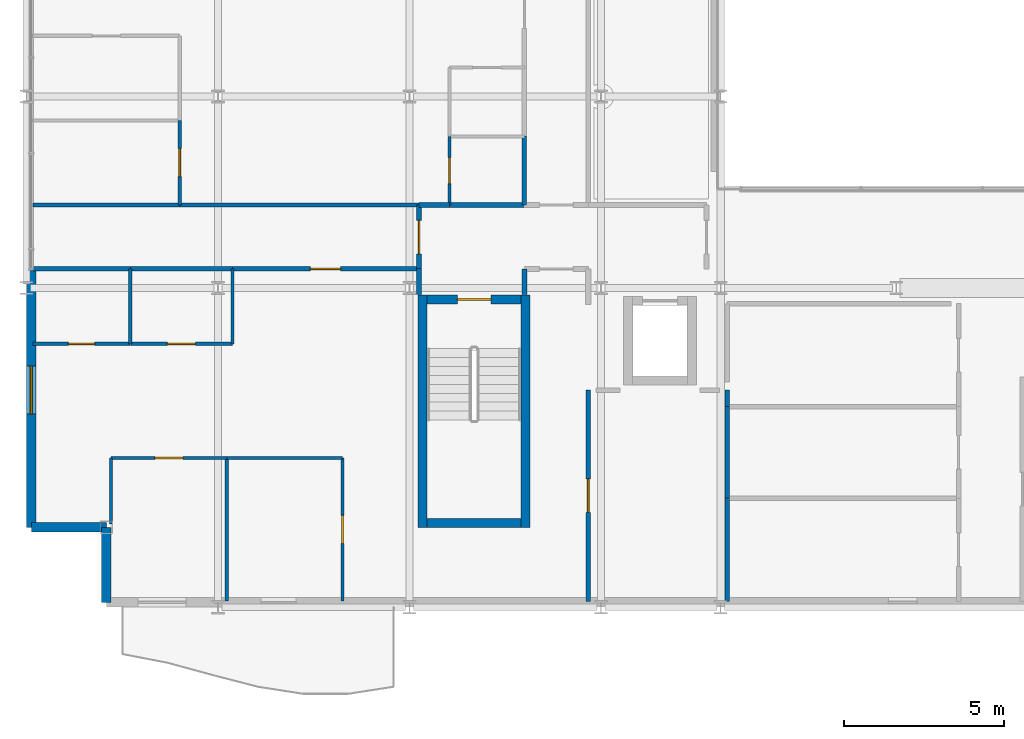
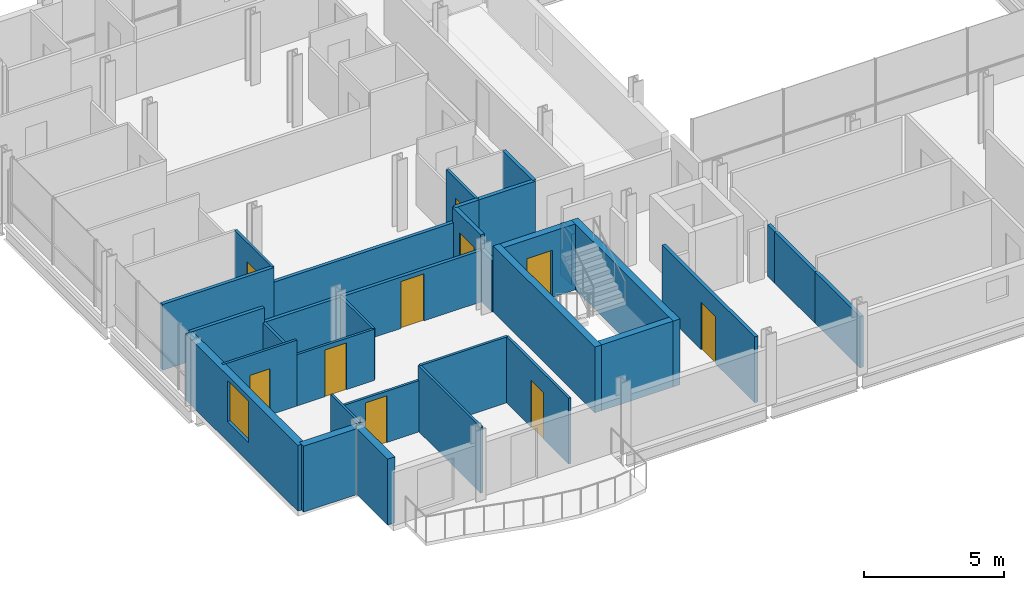
# One storey, part 33 of 41: 33 walls, 10 doors, 1 window, 11 openings.
"""IFC4 building model written with IfcOpenShell, lengths in metres."""

from ifc_helpers import new_model, si_unit, direction, frame, frame_2d, origin, place, context, subcontext, project, spatial, rectangle, extrude, material, layer, layer_set, type_object, element, fill, save


model = new_model("IFC4")

# Units and contexts
model_context = context("Model", 3, precision=1e-05, world=origin(), true_north=direction((0.0, 1.0)))
body_context = subcontext(model_context, "Body", "Model", "MODEL_VIEW")
ifc_project = project(units=[si_unit("LENGTHUNIT", "METRE"), si_unit("AREAUNIT", "SQUARE_METRE"), si_unit("VOLUMEUNIT", "CUBIC_METRE"), si_unit("PLANEANGLEUNIT", "RADIAN"), si_unit("MASSUNIT", "GRAM", prefix="KILO")], contexts=[model_context])

# Site, building, storey
site_placement = place(None, origin())
site = spatial("IfcSite", under=ifc_project, at=site_placement, CompositionType="ELEMENT")
building_placement = place(site_placement, origin())
building = spatial("IfcBuilding", under=site, at=building_placement, Name="Brevholm Reach", CompositionType="ELEMENT")
storey_placement = place(building_placement, frame((0.0, 0.0, 138.699951171875)))
storey = spatial("IfcBuildingStorey", under=building, at=storey_placement, Name="L41", CompositionType="ELEMENT", Elevation=138.699951171875)

# Walls
ifc_material_1 = material(Name="Concrete C50/60", Category="concrete")
ifc_layer_1 = layer(ifc_material_1, 0.280029296875)
ifc_layer_set_1 = layer_set([ifc_layer_1], Name="Concrete C50/60")
wall_type_1 = type_object("IfcWallType", Name="WAL-COR-280", PredefinedType="SHEAR", material=ifc_layer_set_1)
for number, where, z_axis, x_axis, name in (
    (1, (12.409912109375, 2.5, 0.0), (0.0, 0.0, 1.0), (0.0, 1.0, 0.0), "L41 Escape Stair ST-1 Core Wall W"),
    (2, (15.639892578125, 2.5, 0.0), (0.0, 0.0, 1.0), (0.0, 1.0, 0.0), "L41 Escape Stair ST-1 Core Wall E"),
):
    element("IfcWall", number, at=place(storey_placement, frame(where, z_axis=z_axis, x_axis=x_axis)), inside=storey, type_object=wall_type_1, Name=name, PredefinedType="SHEAR", context=body_context, shape_type="SweptSolid", body=[
        extrude(rectangle(XDim=7.280029296875, YDim=0.280029296875, at=frame_2d((3.64013671875, 0.0))), origin(), (0.0, 0.0, 1.0), 2.880126953125),
    ])
wall_1_placement = place(storey_placement, frame((12.550048828125, 2.639892578125, 0.0), z_axis=(0.0, 0.0, 1.0), x_axis=(1.0, 0.0, 0.0)))
element("IfcWall", 3, at=wall_1_placement, inside=storey, type_object=wall_type_1, Name="L41 Escape Stair ST-1 Core Wall S", PredefinedType="SHEAR", context=body_context, shape_type="SweptSolid", body=[
    extrude(rectangle(XDim=2.949951171875, YDim=0.280029296875, at=frame_2d((1.47509765625, 0.0))), origin(), (0.0, 0.0, 1.0), 2.880126953125),
])

# Wall, opening, door
wall_2_placement = place(storey_placement, frame((15.5, 9.639892578125, 0.0), z_axis=(0.0, 0.0, 1.0), x_axis=(-1.0, 0.0, 0.0)))
wall_2 = element("IfcWall", 4, at=wall_2_placement, inside=storey, type_object=wall_type_1, Name="L41 Escape Stair ST-1 Core Wall N", PredefinedType="SHEAR", context=body_context, shape_type="SweptSolid", body=[
    extrude(rectangle(XDim=2.949951171875, YDim=0.280029296875, at=frame_2d((1.47509765625, 0.0))), origin(), (0.0, 0.0, 1.0), 2.880126953125),
])
opening_1_placement = place(wall_2_placement, frame((0.949951171875, 0.0, 0.0)))
opening_1 = element("IfcOpeningElement", 5, at=opening_1_placement, cuts=wall_2, Name="Opening SD-ST-1", PredefinedType="OPENING", context=body_context, shape_type="SweptSolid", body=[
    extrude(rectangle(XDim=1.050048828125, YDim=2.06005859375, at=frame_2d((0.52490234375, 1.030029296875))), frame((0.0, 0.14990234375, 0.0), z_axis=(0.0, -1.0, 0.0), x_axis=(1.0, 0.0, 0.0)), (0.0, 0.0, 1.0), 0.300048828125),
])
ifc_material_2 = material(Name="Hardwood-Lipped Steel-Core Fire and Smoke Door", Category="steel")
door_type_1 = type_object("IfcDoorType", Name="DOR-INT-FD60S", OperationType="NOTDEFINED", PredefinedType="DOOR", material=ifc_material_2)
door_1_placement = place(opening_1_placement, origin())
door_1 = element("IfcDoor", 6, at=door_1_placement, inside=storey, type_object=door_type_1, Name="L41 Protected Stair ST-1 Lobby Door", OperationType="SINGLE_SWING_LEFT", OverallHeight=2.06005859375, OverallWidth=1.050048828125, PredefinedType="DOOR", context=body_context, shape_type="SweptSolid", body=[
    extrude(rectangle(XDim=1.050048828125, YDim=2.06005859375, at=frame_2d((0.52490234375, 1.030029296875))), frame((0.0, 0.02490234375, 0.0), z_axis=(0.0, -1.0, 0.0), x_axis=(1.0, 0.0, 0.0)), (0.0, 0.0, 1.0), 0.050048828125),
])
fill(opening_1, door_1)

# Walls
ifc_material_3 = material(Name="Concrete C40/50", Category="concrete")
ifc_layer_2 = layer(ifc_material_3, 0.300048828125)
ifc_layer_set_2 = layer_set([ifc_layer_2], Name="Concrete C40/50")
wall_type_2 = type_object("IfcWallType", Name="WAL-EXT-300", PredefinedType="STANDARD", material=ifc_layer_set_2)
for number, where, z_axis, x_axis, name in (
    (7, (2.5, 2.5, 0.0), (0.0, 0.0, 1.0), (0.0, -1.0, 0.0), "L41 Facade Wall WAL-L41-CSW1"),
    (8, (0.14990234375, 2.5, 0.0), (0.0, 0.0, 1.0), (1.0, 0.0, 0.0), "L41 Facade Wall WAL-L41-CSW2"),
):
    element("IfcWall", number, at=place(storey_placement, frame(where, z_axis=z_axis, x_axis=x_axis)), inside=storey, type_object=wall_type_2, Name=name, PredefinedType="STANDARD", context=body_context, shape_type="SweptSolid", body=[
        extrude(rectangle(XDim=2.35009765625, YDim=0.300048828125, at=frame_2d((1.175048828125, 0.0))), origin(), (0.0, 0.0, 1.0), 2.880126953125),
    ])

# Wall, opening, window
wall_3_placement = place(storey_placement, frame((0.14990234375, 10.550048828125, 0.0), z_axis=(0.0, 0.0, 1.0), x_axis=(0.0, -1.0, 0.0)))
wall_3 = element("IfcWall", 9, at=wall_3_placement, inside=storey, type_object=wall_type_2, Name="L41 Facade Wall WAL-L41-W-S", PredefinedType="STANDARD", context=body_context, shape_type="SweptSolid", body=[
    extrude(rectangle(XDim=8.050048828125, YDim=0.300048828125, at=frame_2d((4.02490234375, 0.0))), origin(), (0.0, 0.0, 1.0), 2.880126953125),
])
opening_2_placement = place(wall_3_placement, frame((3.0, 0.0, 0.860107421875)))
opening_2 = element("IfcOpeningElement", 10, at=opening_2_placement, cuts=wall_3, Name="Opening WN-05", PredefinedType="OPENING", context=body_context, shape_type="SweptSolid", body=[
    extrude(rectangle(XDim=1.5, YDim=1.800048828125, at=frame_2d((0.75, 0.89990234375))), frame((0.0, 0.159912109375, 0.0), z_axis=(0.0, -1.0, 0.0), x_axis=(1.0, 0.0, 0.0)), (0.0, 0.0, 1.0), 0.320068359375),
])
ifc_material_4 = material(Name="Dark Anodised Aluminium and Solar-Control IGU Glass", Category="aluminium")
window_type = type_object("IfcWindowType", Name="WIN-RES-1500", PartitioningType="SINGLE_PANEL", PredefinedType="WINDOW", material=ifc_material_4)
window_placement = place(opening_2_placement, origin())
window = element("IfcWindow", 11, at=window_placement, inside=storey, type_object=window_type, Name="L41 Window WIN-L41-WS-1", OverallHeight=1.800048828125, OverallWidth=1.5, PartitioningType="SINGLE_PANEL", PredefinedType="WINDOW", context=body_context, shape_type="SweptSolid", body=[
    extrude(rectangle(XDim=1.5, YDim=1.800048828125, at=frame_2d((0.75, 0.89990234375))), frame((0.0, 0.030029296875, 0.0), z_axis=(0.0, -1.0, 0.0), x_axis=(1.0, 0.0, 0.0)), (0.0, 0.0, 1.0), 0.06005859375),
])
fill(opening_2, window)

# Wall
ifc_material_5 = material(Name="Moisture-Resistant Acoustic Gypsum Stud Partition 100 mm", Category="gypsum")
ifc_layer_3 = layer(ifc_material_5, 0.10009765625)
ifc_layer_set_3 = layer_set([ifc_layer_3], Name="Moisture-Resistant Acoustic Gypsum Stud Partition 100 mm")
wall_type_3 = type_object("IfcWallType", Name="WAL-PRT-100", PredefinedType="PARTITIONING", material=ifc_layer_set_3)
wall_4_placement = place(storey_placement, frame((3.25, 8.25, 0.0), z_axis=(0.0, 0.0, 1.0), x_axis=(0.0, 1.0, 0.0)))
element("IfcWall", 12, at=wall_4_placement, inside=storey, type_object=wall_type_3, Name="L41 Internal Partition 060", PredefinedType="PARTITIONING", context=body_context, shape_type="SweptSolid", body=[
    extrude(rectangle(XDim=2.345947265625, YDim=0.10009765625, at=frame_2d((1.1728515625, 0.0))), origin(), (0.0, 0.0, 1.0), 2.242919921875),
])

# Wall, opening, door
wall_5_placement = place(storey_placement, frame((0.199951171875, 8.25, 0.0), z_axis=(0.0, 0.0, 1.0), x_axis=(1.0, 0.0, 0.0)))
wall_5 = element("IfcWall", 13, at=wall_5_placement, inside=storey, type_object=wall_type_3, Name="L41 Internal Partition 061", PredefinedType="PARTITIONING", context=body_context, shape_type="SweptSolid", body=[
    extrude(rectangle(XDim=3.050048828125, YDim=0.10009765625, at=frame_2d((1.52490234375, 0.0))), origin(), (0.0, 0.0, 1.0), 2.880126953125),
])
opening_3_placement = place(wall_5_placement, frame((1.114990234375, 0.0, 0.0)))
opening_3 = element("IfcOpeningElement", 14, at=opening_3_placement, cuts=wall_5, Name="Opening ID-03", PredefinedType="OPENING", context=body_context, shape_type="SweptSolid", body=[
    extrude(rectangle(XDim=0.820068359375, YDim=2.02001953125, at=frame_2d((0.41015625, 1.010009765625))), frame((0.0, 0.06005859375, 0.0), z_axis=(0.0, -1.0, 0.0), x_axis=(1.0, 0.0, 0.0)), (0.0, 0.0, 1.0), 0.1201171875),
])
ifc_material_6 = material(Name="Moisture-Resistant Painted Timber Internal Bathroom Door", Category="wood")
door_type_2 = type_object("IfcDoorType", Name="DOR-BATH-820", OperationType="NOTDEFINED", PredefinedType="DOOR", material=ifc_material_6)
door_2_placement = place(opening_3_placement, origin())
door_2 = element("IfcDoor", 15, at=door_2_placement, inside=storey, type_object=door_type_2, Name="L41 Internal Door 027", OperationType="SINGLE_SWING_RIGHT", OverallHeight=2.02001953125, OverallWidth=0.820068359375, PredefinedType="DOOR", context=body_context, shape_type="SweptSolid", body=[
    extrude(rectangle(XDim=0.820068359375, YDim=2.02001953125, at=frame_2d((0.41015625, 1.010009765625))), frame((0.0, 0.02490234375, 0.0), z_axis=(0.0, -1.0, 0.0), x_axis=(1.0, 0.0, 0.0)), (0.0, 0.0, 1.0), 0.050048828125),
])
fill(opening_3, door_2)

wall_6_placement = place(storey_placement, frame((3.25390625, 8.25, 0.0), z_axis=(0.0, 0.0, 1.0), x_axis=(1.0, 0.0, 0.0)))
wall_6 = element("IfcWall", 16, at=wall_6_placement, inside=storey, type_object=wall_type_3, Name="L41 Internal Partition 062", PredefinedType="PARTITIONING", context=body_context, shape_type="SweptSolid", body=[
    extrude(rectangle(XDim=3.196044921875, YDim=0.10009765625, at=frame_2d((1.59814453125, 0.0))), origin(), (0.0, 0.0, 1.0), 2.242919921875),
])
opening_4_placement = place(wall_6_placement, frame((1.157958984375, 0.0, 0.0)))
opening_4 = element("IfcOpeningElement", 17, at=opening_4_placement, cuts=wall_6, Name="Opening ID-01", PredefinedType="OPENING", context=body_context, shape_type="SweptSolid", body=[
    extrude(rectangle(XDim=0.8798828125, YDim=2.0400390625, at=frame_2d((0.43994140625, 1.02001953125))), frame((0.0, 0.06005859375, 0.0), z_axis=(0.0, -1.0, 0.0), x_axis=(1.0, 0.0, 0.0)), (0.0, 0.0, 1.0), 0.1201171875),
])
ifc_material_7 = material(Name="Lacquered Ash Solid-Core Acoustic Internal Door", Category="timber")
door_type_3 = type_object("IfcDoorType", Name="DOR-INT-880", OperationType="NOTDEFINED", PredefinedType="DOOR", material=ifc_material_7)
door_3_placement = place(opening_4_placement, origin())
door_3 = element("IfcDoor", 18, at=door_3_placement, inside=storey, type_object=door_type_3, Name="L41 Internal Door 028", OperationType="SINGLE_SWING_LEFT", OverallHeight=2.0400390625, OverallWidth=0.8798828125, PredefinedType="DOOR", context=body_context, shape_type="SweptSolid", body=[
    extrude(rectangle(XDim=0.8798828125, YDim=2.0400390625, at=frame_2d((0.43994140625, 1.02001953125))), frame((0.0, 0.02490234375, 0.0), z_axis=(0.0, -1.0, 0.0), x_axis=(1.0, 0.0, 0.0)), (0.0, 0.0, 1.0), 0.050048828125),
])
fill(opening_4, door_3)

# Walls
wall_7_placement = place(storey_placement, frame((6.449951171875, 8.25, 0.0), z_axis=(0.0, 0.0, 1.0), x_axis=(0.0, 1.0, 0.0)))
element("IfcWall", 19, at=wall_7_placement, inside=storey, type_object=wall_type_3, Name="L41 Internal Partition 063", PredefinedType="PARTITIONING", context=body_context, shape_type="SweptSolid", body=[
    extrude(rectangle(XDim=2.345947265625, YDim=0.10009765625, at=frame_2d((1.1728515625, 0.0))), origin(), (0.0, 0.0, 1.0), 2.242919921875),
])
wall_8_placement = place(storey_placement, frame((6.27490234375, 0.199951171875, 0.0), z_axis=(0.0, 0.0, 1.0), x_axis=(0.0, 1.0, 0.0)))
element("IfcWall", 20, at=wall_8_placement, inside=storey, type_object=wall_type_3, Name="L41 Internal Partition 064", PredefinedType="PARTITIONING", context=body_context, shape_type="SweptSolid", body=[
    extrude(rectangle(XDim=4.47216796875, YDim=0.10009765625, at=frame_2d((2.236083984375, 0.0))), origin(), (0.0, 0.0, 1.0), 2.880126953125),
])
wall_9_placement = place(storey_placement, frame((2.64990234375, 2.599365234375, 0.0), z_axis=(0.0, 0.0, 1.0), x_axis=(0.0, 1.0, 0.0)))
element("IfcWall", 21, at=wall_9_placement, inside=storey, type_object=wall_type_3, Name="L41 Internal Partition 065", PredefinedType="PARTITIONING", context=body_context, shape_type="SweptSolid", body=[
    extrude(rectangle(XDim=2.07275390625, YDim=0.10009765625, at=frame_2d((1.036376953125, 0.0))), origin(), (0.0, 0.0, 1.0), 2.880126953125),
])

# Wall, opening, door
wall_10_placement = place(storey_placement, frame((2.64990234375, 4.672119140625, 0.0), z_axis=(0.0, 0.0, 1.0), x_axis=(1.0, 0.0, 0.0)))
wall_10 = element("IfcWall", 22, at=wall_10_placement, inside=storey, type_object=wall_type_3, Name="L41 Internal Partition 066", PredefinedType="PARTITIONING", context=body_context, shape_type="SweptSolid", body=[
    extrude(rectangle(XDim=3.625, YDim=0.10009765625, at=frame_2d((1.8125, 0.0))), origin(), (0.0, 0.0, 1.0), 2.242919921875),
])
opening_5_placement = place(wall_10_placement, frame((1.37255859375, 0.0, 0.0)))
opening_5 = element("IfcOpeningElement", 23, at=opening_5_placement, cuts=wall_10, Name="Opening ID-01", PredefinedType="OPENING", context=body_context, shape_type="SweptSolid", body=[
    extrude(rectangle(XDim=0.8798828125, YDim=2.0400390625, at=frame_2d((0.43994140625, 1.02001953125))), frame((0.0, 0.06005859375, 0.0), z_axis=(0.0, -1.0, 0.0), x_axis=(1.0, 0.0, 0.0)), (0.0, 0.0, 1.0), 0.1201171875),
])
door_4_placement = place(opening_5_placement, origin())
door_4 = element("IfcDoor", 24, at=door_4_placement, inside=storey, type_object=door_type_3, Name="L41 Internal Door 029", OperationType="SINGLE_SWING_RIGHT", OverallHeight=2.0400390625, OverallWidth=0.8798828125, PredefinedType="DOOR", context=body_context, shape_type="SweptSolid", body=[
    extrude(rectangle(XDim=0.8798828125, YDim=2.0400390625, at=frame_2d((0.43994140625, 1.02001953125))), frame((0.0, 0.02490234375, 0.0), z_axis=(0.0, -1.0, 0.0), x_axis=(1.0, 0.0, 0.0)), (0.0, 0.0, 1.0), 0.050048828125),
])
fill(opening_5, door_4)

wall_11_placement = place(storey_placement, frame((9.89990234375, 0.199951171875, 0.0), z_axis=(0.0, 0.0, 1.0), x_axis=(0.0, 1.0, 0.0)))
wall_11 = element("IfcWall", 25, at=wall_11_placement, inside=storey, type_object=wall_type_3, Name="L41 Internal Partition 067", PredefinedType="PARTITIONING", context=body_context, shape_type="SweptSolid", body=[
    extrude(rectangle(XDim=4.47216796875, YDim=0.10009765625, at=frame_2d((2.236083984375, 0.0))), origin(), (0.0, 0.0, 1.0), 2.880126953125),
])
opening_6_placement = place(wall_11_placement, frame((1.7958984375, 0.0, 0.0)))
opening_6 = element("IfcOpeningElement", 26, at=opening_6_placement, cuts=wall_11, Name="Opening ID-01", PredefinedType="OPENING", context=body_context, shape_type="SweptSolid", body=[
    extrude(rectangle(XDim=0.8798828125, YDim=2.0400390625, at=frame_2d((0.43994140625, 1.02001953125))), frame((0.0, 0.06005859375, 0.0), z_axis=(0.0, -1.0, 0.0), x_axis=(1.0, 0.0, 0.0)), (0.0, 0.0, 1.0), 0.1201171875),
])
door_5_placement = place(opening_6_placement, origin())
door_5 = element("IfcDoor", 27, at=door_5_placement, inside=storey, type_object=door_type_3, Name="L41 Internal Door 030", OperationType="SINGLE_SWING_LEFT", OverallHeight=2.0400390625, OverallWidth=0.8798828125, PredefinedType="DOOR", context=body_context, shape_type="SweptSolid", body=[
    extrude(rectangle(XDim=0.8798828125, YDim=2.0400390625, at=frame_2d((0.43994140625, 1.02001953125))), frame((0.0, 0.02490234375, 0.0), z_axis=(0.0, -1.0, 0.0), x_axis=(1.0, 0.0, 0.0)), (0.0, 0.0, 1.0), 0.050048828125),
])
fill(opening_6, door_5)

# Wall
wall_12_placement = place(storey_placement, frame((6.279052734375, 4.672119140625, 0.0), z_axis=(0.0, 0.0, 1.0), x_axis=(1.0, 0.0, 0.0)))
element("IfcWall", 28, at=wall_12_placement, inside=storey, type_object=wall_type_3, Name="L41 Internal Partition 068", PredefinedType="PARTITIONING", context=body_context, shape_type="SweptSolid", body=[
    extrude(rectangle(XDim=3.620849609375, YDim=0.10009765625, at=frame_2d((1.810546875, 0.0))), origin(), (0.0, 0.0, 1.0), 2.880126953125),
])

# Wall, opening, door
wall_13_placement = place(storey_placement, frame((13.25, 12.60400390625, 0.0), z_axis=(0.0, 0.0, 1.0), x_axis=(0.0, 1.0, 0.0)))
wall_13 = element("IfcWall", 29, at=wall_13_placement, inside=storey, type_object=wall_type_3, Name="L41 Internal Partition 070", PredefinedType="PARTITIONING", context=body_context, shape_type="SweptSolid", body=[
    extrude(rectangle(XDim=2.14599609375, YDim=0.10009765625, at=frame_2d((1.072998046875, 0.0))), origin(), (0.0, 0.0, 1.0), 2.880126953125),
])
opening_7_placement = place(wall_13_placement, frame((0.6630859375, 0.0, 0.0)))
opening_7 = element("IfcOpeningElement", 30, at=opening_7_placement, cuts=wall_13, Name="Opening ID-03", PredefinedType="OPENING", context=body_context, shape_type="SweptSolid", body=[
    extrude(rectangle(XDim=0.820068359375, YDim=2.02001953125, at=frame_2d((0.41015625, 1.010009765625))), frame((0.0, 0.06005859375, 0.0), z_axis=(0.0, -1.0, 0.0), x_axis=(1.0, 0.0, 0.0)), (0.0, 0.0, 1.0), 0.1201171875),
])
door_6_placement = place(opening_7_placement, origin())
door_6 = element("IfcDoor", 31, at=door_6_placement, inside=storey, type_object=door_type_2, Name="L41 Internal Door 031", OperationType="SINGLE_SWING_RIGHT", OverallHeight=2.02001953125, OverallWidth=0.820068359375, PredefinedType="DOOR", context=body_context, shape_type="SweptSolid", body=[
    extrude(rectangle(XDim=0.820068359375, YDim=2.02001953125, at=frame_2d((0.41015625, 1.010009765625))), frame((0.0, 0.02490234375, 0.0), z_axis=(0.0, -1.0, 0.0), x_axis=(1.0, 0.0, 0.0)), (0.0, 0.0, 1.0), 0.050048828125),
])
fill(opening_7, door_6)

wall_14_placement = place(storey_placement, frame((4.800048828125, 12.60400390625, 0.0), z_axis=(0.0, 0.0, 1.0), x_axis=(0.0, 1.0, 0.0)))
wall_14 = element("IfcWall", 32, at=wall_14_placement, inside=storey, type_object=wall_type_3, Name="L41 Internal Partition 074", PredefinedType="PARTITIONING", context=body_context, shape_type="SweptSolid", body=[
    extrude(rectangle(XDim=2.64599609375, YDim=0.10009765625, at=frame_2d((1.322998046875, 0.0))), origin(), (0.0, 0.0, 1.0), 2.880126953125),
])
opening_8_placement = place(wall_14_placement, frame((0.883056640625, 0.0, 0.0)))
opening_8 = element("IfcOpeningElement", 33, at=opening_8_placement, cuts=wall_14, Name="Opening ID-01", PredefinedType="OPENING", context=body_context, shape_type="SweptSolid", body=[
    extrude(rectangle(XDim=0.8798828125, YDim=2.0400390625, at=frame_2d((0.43994140625, 1.02001953125))), frame((0.0, 0.06005859375, 0.0), z_axis=(0.0, -1.0, 0.0), x_axis=(1.0, 0.0, 0.0)), (0.0, 0.0, 1.0), 0.1201171875),
])
door_7_placement = place(opening_8_placement, origin())
door_7 = element("IfcDoor", 34, at=door_7_placement, inside=storey, type_object=door_type_3, Name="L41 Internal Door 033", OperationType="SINGLE_SWING_RIGHT", OverallHeight=2.0400390625, OverallWidth=0.8798828125, PredefinedType="DOOR", context=body_context, shape_type="SweptSolid", body=[
    extrude(rectangle(XDim=0.8798828125, YDim=2.0400390625, at=frame_2d((0.43994140625, 1.02001953125))), frame((0.0, 0.02490234375, 0.0), z_axis=(0.0, -1.0, 0.0), x_axis=(1.0, 0.0, 0.0)), (0.0, 0.0, 1.0), 0.050048828125),
])
fill(opening_8, door_7)

# Walls
ifc_material_8 = material(Name="Twin-Stud Acoustic Fire-Rated Gypsum Partition 140 mm", Category="gypsum")
ifc_layer_4 = layer(ifc_material_8, 0.139892578125)
ifc_layer_set_4 = layer_set([ifc_layer_4], Name="Twin-Stud Acoustic Fire-Rated Gypsum Partition 140 mm")
wall_type_4 = type_object("IfcWallType", Name="WAL-PRT-140", PredefinedType="PARTITIONING", material=ifc_layer_set_4)
wall_15_placement = place(storey_placement, frame((21.949951171875, 0.179931640625, 0.0), z_axis=(0.0, 0.0, 1.0), x_axis=(0.0, 1.0, 0.0)))
element("IfcWall", 35, at=wall_15_placement, inside=storey, type_object=wall_type_4, Name="L41 Internal Partition 006", PredefinedType="PARTITIONING", context=body_context, shape_type="SweptSolid", body=[
    extrude(rectangle(XDim=3.236083984375, YDim=0.139892578125, at=frame_2d((1.6181640625, 0.0))), origin(), (0.0, 0.0, 1.0), 2.242919921875),
])
wall_16_placement = place(storey_placement, frame((21.949951171875, 3.419921875, 0.0), z_axis=(0.0, 0.0, 1.0), x_axis=(0.0, 1.0, 0.0)))
element("IfcWall", 36, at=wall_16_placement, inside=storey, type_object=wall_type_4, Name="L41 Internal Partition 008", PredefinedType="PARTITIONING", context=body_context, shape_type="SweptSolid", body=[
    extrude(rectangle(XDim=2.863037109375, YDim=0.139892578125, at=frame_2d((1.431640625, 0.0))), origin(), (0.0, 0.0, 1.0), 2.242919921875),
])
wall_17_placement = place(storey_placement, frame((21.949951171875, 6.287109375, 0.0), z_axis=(0.0, 0.0, 1.0), x_axis=(0.0, 1.0, 0.0)))
element("IfcWall", 37, at=wall_17_placement, inside=storey, type_object=wall_type_4, Name="L41 Internal Partition 009", PredefinedType="PARTITIONING", context=body_context, shape_type="SweptSolid", body=[
    extrude(rectangle(XDim=0.524169921875, YDim=0.139892578125, at=frame_2d((0.26220703125, 0.0))), origin(), (0.0, 0.0, 1.0), 2.242919921875),
])

# Wall, opening, door
wall_18_placement = place(storey_placement, frame((17.60009765625, 0.179931640625, 0.0), z_axis=(0.0, 0.0, 1.0), x_axis=(0.0, 1.0, 0.0)))
wall_18 = element("IfcWall", 38, at=wall_18_placement, inside=storey, type_object=wall_type_4, Name="L41 Internal Partition 015", PredefinedType="PARTITIONING", context=body_context, shape_type="SweptSolid", body=[
    extrude(rectangle(XDim=6.63134765625, YDim=0.139892578125, at=frame_2d((3.315673828125, 0.0))), origin(), (0.0, 0.0, 1.0), 2.880126953125),
])
opening_9_placement = place(wall_18_placement, frame((2.790771484375, 0.0, 0.0)))
opening_9 = element("IfcOpeningElement", 39, at=opening_9_placement, cuts=wall_18, Name="Opening FD-01", PredefinedType="OPENING", context=body_context, shape_type="SweptSolid", body=[
    extrude(rectangle(XDim=1.050048828125, YDim=2.06005859375, at=frame_2d((0.52490234375, 1.030029296875))), frame((0.0, 0.079833984375, 0.0), z_axis=(0.0, -1.0, 0.0), x_axis=(1.0, 0.0, 0.0)), (0.0, 0.0, 1.0), 0.159912109375),
])
door_8_placement = place(opening_9_placement, origin())
door_8 = element("IfcDoor", 40, at=door_8_placement, inside=storey, type_object=door_type_1, Name="L41 Internal Door 008", OperationType="SINGLE_SWING_LEFT", OverallHeight=2.06005859375, OverallWidth=1.050048828125, PredefinedType="DOOR", context=body_context, shape_type="SweptSolid", body=[
    extrude(rectangle(XDim=1.050048828125, YDim=2.06005859375, at=frame_2d((0.52490234375, 1.030029296875))), frame((0.0, 0.02490234375, 0.0), z_axis=(0.0, -1.0, 0.0), x_axis=(1.0, 0.0, 0.0)), (0.0, 0.0, 1.0), 0.050048828125),
])
fill(opening_9, door_8)

# Walls
wall_19_placement = place(storey_placement, frame((15.60009765625, 12.60400390625, 0.0), z_axis=(0.0, 0.0, 1.0), x_axis=(0.0, 1.0, 0.0)))
element("IfcWall", 41, at=wall_19_placement, inside=storey, type_object=wall_type_4, Name="L41 Internal Partition 034", PredefinedType="PARTITIONING", context=body_context, shape_type="SweptSolid", body=[
    extrude(rectangle(XDim=2.1572265625, YDim=0.139892578125, at=frame_2d((1.07861328125, 0.0))), origin(), (0.0, 0.0, 1.0), 2.880126953125),
])
wall_20_placement = place(storey_placement, frame((0.199951171875, 10.60009765625, 0.0), z_axis=(0.0, 0.0, 1.0), x_axis=(1.0, 0.0, 0.0)))
element("IfcWall", 42, at=wall_20_placement, inside=storey, type_object=wall_type_4, Name="L41 Internal Partition 055", PredefinedType="PARTITIONING", context=body_context, shape_type="SweptSolid", body=[
    extrude(rectangle(XDim=3.061279296875, YDim=0.139892578125, at=frame_2d((1.53076171875, 0.0))), origin(), (0.0, 0.0, 1.0), 2.880126953125),
])
wall_21_placement = place(storey_placement, frame((3.24267578125, 10.60009765625, 0.0), z_axis=(0.0, 0.0, 1.0), x_axis=(1.0, 0.0, 0.0)))
element("IfcWall", 43, at=wall_21_placement, inside=storey, type_object=wall_type_4, Name="L41 Internal Partition 056", PredefinedType="PARTITIONING", context=body_context, shape_type="SweptSolid", body=[
    extrude(rectangle(XDim=3.218505859375, YDim=0.139892578125, at=frame_2d((1.609375, 0.0))), origin(), (0.0, 0.0, 1.0), 2.242919921875),
])

# Wall, opening, door
wall_22_placement = place(storey_placement, frame((6.442626953125, 10.60009765625, 0.0), z_axis=(0.0, 0.0, 1.0), x_axis=(1.0, 0.0, 0.0)))
wall_22 = element("IfcWall", 44, at=wall_22_placement, inside=storey, type_object=wall_type_4, Name="L41 Internal Partition 057", PredefinedType="PARTITIONING", context=body_context, shape_type="SweptSolid", body=[
    extrude(rectangle(XDim=5.853271484375, YDim=0.139892578125, at=frame_2d((2.9267578125, 0.0))), origin(), (0.0, 0.0, 1.0), 2.242919921875),
])
opening_10_placement = place(wall_22_placement, frame((2.45166015625, 0.0, 0.0)))
opening_10 = element("IfcOpeningElement", 45, at=opening_10_placement, cuts=wall_22, Name="Opening ID-30", PredefinedType="OPENING", context=body_context, shape_type="SweptSolid", body=[
    extrude(rectangle(XDim=0.949951171875, YDim=2.050048828125, at=frame_2d((0.47509765625, 1.02490234375))), frame((0.0, 0.079833984375, 0.0), z_axis=(0.0, -1.0, 0.0), x_axis=(1.0, 0.0, 0.0)), (0.0, 0.0, 1.0), 0.159912109375),
])
ifc_material_9 = material(Name="European Oak Veneered Solid-Core Fire Entrance Door", Category="timber")
door_type_4 = type_object("IfcDoorType", Name="DOR-FLT-FD30S", OperationType="NOTDEFINED", PredefinedType="DOOR", material=ifc_material_9)
door_9_placement = place(opening_10_placement, origin())
door_9 = element("IfcDoor", 46, at=door_9_placement, inside=storey, type_object=door_type_4, Name="L41 Internal Door 026", OperationType="SINGLE_SWING_LEFT", OverallHeight=2.050048828125, OverallWidth=0.949951171875, PredefinedType="DOOR", context=body_context, shape_type="SweptSolid", body=[
    extrude(rectangle(XDim=0.949951171875, YDim=2.050048828125, at=frame_2d((0.47509765625, 1.02490234375))), frame((0.0, 0.02490234375, 0.0), z_axis=(0.0, -1.0, 0.0), x_axis=(1.0, 0.0, 0.0)), (0.0, 0.0, 1.0), 0.050048828125),
])
fill(opening_10, door_9)

# Walls
wall_23_placement = place(storey_placement, frame((0.199951171875, 12.60009765625, 0.0), z_axis=(0.0, 0.0, 1.0), x_axis=(1.0, 0.0, 0.0)))
element("IfcWall", 47, at=wall_23_placement, inside=storey, type_object=wall_type_4, Name="L41 Internal Partition 058", PredefinedType="PARTITIONING", context=body_context, shape_type="SweptSolid", body=[
    extrude(rectangle(XDim=4.611328125, YDim=0.139892578125, at=frame_2d((2.3056640625, 0.0))), origin(), (0.0, 0.0, 1.0), 2.880126953125),
])
wall_24_placement = place(storey_placement, frame((4.792724609375, 12.60009765625, 0.0), z_axis=(0.0, 0.0, 1.0), x_axis=(1.0, 0.0, 0.0)))
element("IfcWall", 48, at=wall_24_placement, inside=storey, type_object=wall_type_4, Name="L41 Internal Partition 059", PredefinedType="PARTITIONING", context=body_context, shape_type="SweptSolid", body=[
    extrude(rectangle(XDim=7.503173828125, YDim=0.139892578125, at=frame_2d((3.75146484375, 0.0))), origin(), (0.0, 0.0, 1.0), 2.242919921875),
])
ifc_material_10 = material(Name="Twin-Frame Fire-Rated Gypsum Board and Mineral Wool 160 mm", Category="gypsum")
ifc_layer_5 = layer(ifc_material_10, 0.159912109375)
ifc_layer_set_5 = layer_set([ifc_layer_5], Name="Twin-Frame Fire-Rated Gypsum Board and Mineral Wool 160 mm")
wall_type_5 = type_object("IfcWallType", Name="WAL-PRT-160", PredefinedType="PARTITIONING", material=ifc_layer_set_5)
wall_25_placement = place(storey_placement, frame((15.60009765625, 9.7900390625, 0.0), z_axis=(0.0, 0.0, 1.0), x_axis=(0.0, 1.0, 0.0)))
element("IfcWall", 49, at=wall_25_placement, inside=storey, type_object=wall_type_5, Name="L41 Internal Partition 016", PredefinedType="PARTITIONING", context=body_context, shape_type="SweptSolid", body=[
    extrude(rectangle(XDim=0.81005859375, YDim=0.159912109375, at=frame_2d((0.405029296875, 0.0))), origin(), (0.0, 0.0, 1.0), 2.242919921875),
])

# Wall, opening, door
wall_26_placement = place(storey_placement, frame((12.300048828125, 10.588623046875, 0.0), z_axis=(0.0, 0.0, 1.0), x_axis=(0.0, 1.0, 0.0)))
wall_26 = element("IfcWall", 50, at=wall_26_placement, inside=storey, type_object=wall_type_5, Name="L41 Internal Partition 022", PredefinedType="PARTITIONING", context=body_context, shape_type="SweptSolid", body=[
    extrude(rectangle(XDim=2.011474609375, YDim=0.159912109375, at=frame_2d((1.005859375, 0.0))), origin(), (0.0, 0.0, 1.0), 2.880126953125),
])
opening_11_placement = place(wall_26_placement, frame((0.480712890625, 0.0, 0.0)))
opening_11 = element("IfcOpeningElement", 51, at=opening_11_placement, cuts=wall_26, Name="Opening FD-01", PredefinedType="OPENING", context=body_context, shape_type="SweptSolid", body=[
    extrude(rectangle(XDim=1.050048828125, YDim=2.06005859375, at=frame_2d((0.52490234375, 1.030029296875))), frame((0.0, 0.08984375, 0.0), z_axis=(0.0, -1.0, 0.0), x_axis=(1.0, 0.0, 0.0)), (0.0, 0.0, 1.0), 0.179931640625),
])
door_10_placement = place(opening_11_placement, origin())
door_10 = element("IfcDoor", 52, at=door_10_placement, inside=storey, type_object=door_type_1, Name="L41 Internal Door 012", OperationType="SINGLE_SWING_LEFT", OverallHeight=2.06005859375, OverallWidth=1.050048828125, PredefinedType="DOOR", context=body_context, shape_type="SweptSolid", body=[
    extrude(rectangle(XDim=1.050048828125, YDim=2.06005859375, at=frame_2d((0.52490234375, 1.030029296875))), frame((0.0, 0.02490234375, 0.0), z_axis=(0.0, -1.0, 0.0), x_axis=(1.0, 0.0, 0.0)), (0.0, 0.0, 1.0), 0.050048828125),
])
fill(opening_11, door_10)

# Walls
wall_27_placement = place(storey_placement, frame((12.300048828125, 9.7900390625, 0.0), z_axis=(0.0, 0.0, 1.0), x_axis=(0.0, 1.0, 0.0)))
element("IfcWall", 53, at=wall_27_placement, inside=storey, type_object=wall_type_5, Name="L41 Internal Partition 023", PredefinedType="PARTITIONING", context=body_context, shape_type="SweptSolid", body=[
    extrude(rectangle(XDim=0.8173828125, YDim=0.159912109375, at=frame_2d((0.40869140625, 0.0))), origin(), (0.0, 0.0, 1.0), 2.242919921875),
])
wall_28_placement = place(storey_placement, frame((13.23876953125, 12.60009765625, 0.0), z_axis=(0.0, 0.0, 1.0), x_axis=(1.0, 0.0, 0.0)))
element("IfcWall", 54, at=wall_28_placement, inside=storey, type_object=wall_type_5, Name="L41 Internal Partition 024", PredefinedType="PARTITIONING", context=body_context, shape_type="SweptSolid", body=[
    extrude(rectangle(XDim=2.36865234375, YDim=0.159912109375, at=frame_2d((1.184326171875, 0.0))), origin(), (0.0, 0.0, 1.0), 2.880126953125),
])
wall_29_placement = place(storey_placement, frame((12.300048828125, 12.60009765625, 0.0), z_axis=(0.0, 0.0, 1.0), x_axis=(1.0, 0.0, 0.0)))
element("IfcWall", 55, at=wall_29_placement, inside=storey, type_object=wall_type_5, Name="L41 Internal Partition 025", PredefinedType="PARTITIONING", context=body_context, shape_type="SweptSolid", body=[
    extrude(rectangle(XDim=0.957275390625, YDim=0.159912109375, at=frame_2d((0.478515625, 0.0))), origin(), (0.0, 0.0, 1.0), 2.880126953125),
])

save(model, "model.ifc")
